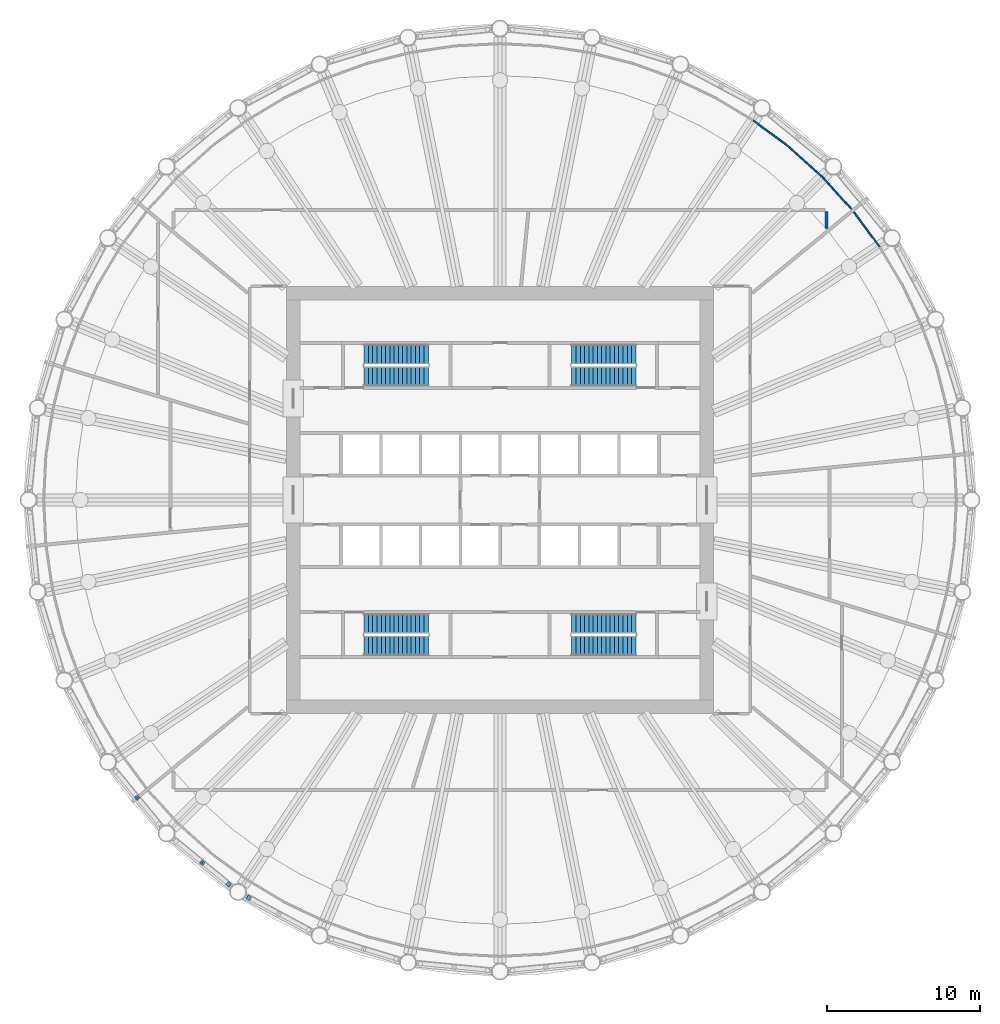
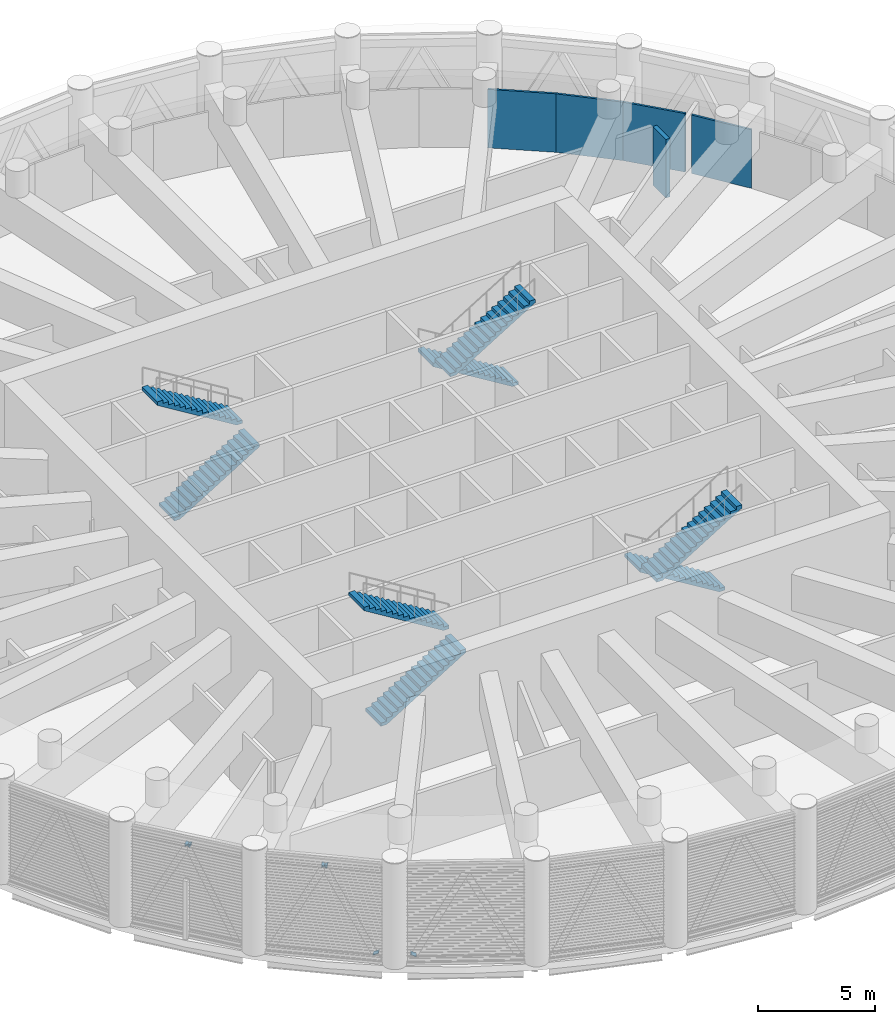
# One storey, part 11 of 23: 8 stair flights, 6 discrete accessories, 5 walls, 4 elements without a shape of their own.
"""IFC4 building model written with IfcOpenShell, lengths in metres."""

import ifcopenshell
import ifcopenshell.guid

model = None  # the IFC model being written
_history = None  # IfcOwnerHistory: only IFC2X3 demands one
_inside = {}  # id of a spatial element -> (the spatial element, [elements in it])
_under = {}  # id of a project, library or spatial element -> (it, [spatial elements below it])
_declared = {}  # id of a project -> (the project, [libraries it declares])
_typed = {}  # id of a type object -> (the type object, [elements of that type])
_made_of = {}  # id of a material, layer set ... -> (it, [elements and type objects made of it])


def new_model(schema):
    """Start an empty IFC model of exactly this schema.

    Asked for "IFC4X3", IfcOpenShell would pick the latest addendum, in which some entities
    have other attributes; the version numbers below select the first issue.
    IFC2X3 requires an IfcOwnerHistory on every rooted entity: one is made here for all.
    """
    global model, _history
    if schema == "IFC4X3":
        model = ifcopenshell.file(schema_version=(4, 3, 0, 0))
    else:
        model = ifcopenshell.file(schema=schema)
    _inside.clear()
    _under.clear()
    _declared.clear()
    _typed.clear()
    _made_of.clear()
    _history = None
    if model.schema == "IFC2X3":
        org = make("IfcOrganization", Name="unknown")
        user = make(
            "IfcPersonAndOrganization",
            ThePerson=make("IfcPerson", FamilyName="unknown"),
            TheOrganization=org,
        )
        app = make(
            "IfcApplication",
            ApplicationDeveloper=org,
            Version="unknown",
            ApplicationFullName="unknown",
            ApplicationIdentifier="unknown",
        )
        _history = make(
            "IfcOwnerHistory",
            OwningUser=user,
            OwningApplication=app,
            ChangeAction="ADDED",
            CreationDate=0,
        )
    return model


def make(cls, **values):
    """One entity of the class cls with the attributes given. An attribute that is None is left unset."""
    return model.create_entity(
        cls, **{name: value for name, value in values.items() if value is not None}
    )


def rooted(cls, **values):
    """An entity with a GlobalId (a new one), such as an element, a storey or a relation."""
    return make(cls, GlobalId=ifcopenshell.guid.new(), OwnerHistory=_history, **values)


def si_unit(unit_type, name, prefix=None):
    """IfcSIUnit, for example si_unit("LENGTHUNIT", "METRE", prefix="MILLI")."""
    return make("IfcSIUnit", UnitType=unit_type, Prefix=prefix, Name=name)


def assignment(units):
    """IfcUnitAssignment: the units of a project."""
    return None if units is None else make("IfcUnitAssignment", Units=units)


def point(xyz):
    """IfcCartesianPoint."""
    return None if xyz is None else make("IfcCartesianPoint", Coordinates=xyz)


def direction(xyz):
    """IfcDirection."""
    return None if xyz is None else make("IfcDirection", DirectionRatios=xyz)


def frame(location, z_axis=None, x_axis=None):
    """IfcAxis2Placement3D, a coordinate frame: its origin and axes. An axis left out is left unset."""
    return make(
        "IfcAxis2Placement3D",
        Location=point(location),
        Axis=direction(z_axis),
        RefDirection=direction(x_axis),
    )


def frame_2d(location, x_axis=None):
    """IfcAxis2Placement2D, a coordinate frame in the plane: its origin and x axis."""
    return make(
        "IfcAxis2Placement2D", Location=point(location), RefDirection=direction(x_axis)
    )


def origin():
    """The frame at (0, 0, 0) with its axes left unset."""
    return frame((0.0, 0.0, 0.0))


def origin_2d():
    """The frame at (0, 0) in the plane with its x axis left unset."""
    return frame_2d((0.0, 0.0))


def place(relative_to, where):
    """IfcLocalPlacement: puts the frame where relative to a parent placement (None: the world)."""
    return make(
        "IfcLocalPlacement", PlacementRelTo=relative_to, RelativePlacement=where
    )


def context(
    kind, dimensions, precision=None, world=None, true_north=None, identifier=None
):
    """IfcGeometricRepresentationContext, for example the 3D "Model" context."""
    return make(
        "IfcGeometricRepresentationContext",
        ContextIdentifier=identifier,
        ContextType=kind,
        CoordinateSpaceDimension=dimensions,
        Precision=precision,
        WorldCoordinateSystem=world,
        TrueNorth=true_north,
    )


def subcontext(parent, identifier, kind, view, scale=None):
    """IfcGeometricRepresentationSubContext, for example "Body" below "Model"."""
    return make(
        "IfcGeometricRepresentationSubContext",
        ContextIdentifier=identifier,
        ContextType=kind,
        ParentContext=parent,
        TargetScale=scale,
        TargetView=view,
    )


def project(units=None, contexts=None):
    """IfcProject with its units and contexts."""
    return rooted(
        "IfcProject",
        Name="project",
        RepresentationContexts=contexts,
        UnitsInContext=assignment(units),
    )


def spatial(cls, under=None, at=None, **own):
    """A site, building, storey or space (cls), placed at a placement, below another one or the project."""
    s = rooted(cls, ObjectPlacement=at, **own)
    if under is not None:
        _under.setdefault(under.id(), (under, []))[1].append(s)
    return s


def polyline(points):
    """IfcPolyline through the points."""
    return make("IfcPolyline", Points=[point(p) for p in points])


def profile(cls, at=None, kind="AREA", **sizes):
    """A parametric profile (cls). Its sizes go by their IFC names, for example OverallWidth=200.0."""
    return make(cls, ProfileType=kind, Position=at, **sizes)


def rectangle(**sizes):
    """IfcRectangleProfileDef."""
    return profile("IfcRectangleProfileDef", **sizes)


def outline(outer, holes=None, kind="AREA"):
    """IfcArbitraryClosedProfileDef: a profile drawn as a closed curve; with holes, ...WithVoids."""
    if holes is None:
        return make("IfcArbitraryClosedProfileDef", ProfileType=kind, OuterCurve=outer)
    return make(
        "IfcArbitraryProfileDefWithVoids",
        ProfileType=kind,
        OuterCurve=outer,
        InnerCurves=holes,
    )


def extrude(swept, where, along, depth):
    """IfcExtrudedAreaSolid: the profile swept, set in the frame where, extruded along a direction by depth."""
    return make(
        "IfcExtrudedAreaSolid",
        SweptArea=swept,
        Position=where,
        ExtrudedDirection=direction(along),
        Depth=depth,
    )


def shape(context_of_items, identifier, shape_type, items):
    """IfcShapeRepresentation: the items that make up one representation, for example the "Body"."""
    return make(
        "IfcShapeRepresentation",
        ContextOfItems=context_of_items,
        RepresentationIdentifier=identifier,
        RepresentationType=shape_type,
        Items=items,
    )


def material(Name=None, Category=None):
    """IfcMaterial."""
    return make("IfcMaterial", Name=Name, Category=Category)


def layer(
    of_material, thickness, ventilated=None, Name=None, Category=None, Priority=None
):
    """IfcMaterialLayer: one layer of a wall or slab, of a material (None: an air gap)."""
    return make(
        "IfcMaterialLayer",
        Material=of_material,
        LayerThickness=thickness,
        IsVentilated=ventilated,
        Name=Name,
        Category=Category,
        Priority=Priority,
    )


def layer_set(layers, Name=None):
    """IfcMaterialLayerSet."""
    return make("IfcMaterialLayerSet", MaterialLayers=layers, LayerSetName=Name)


def material_profile(
    of_material, cross_section, Name=None, Category=None, Priority=None
):
    """IfcMaterialProfile: a cross section and its material."""
    return make(
        "IfcMaterialProfile",
        Name=Name,
        Material=of_material,
        Profile=cross_section,
        Priority=Priority,
        Category=Category,
    )


def profile_set(profiles, Name=None, composite=None):
    """IfcMaterialProfileSet."""
    return make(
        "IfcMaterialProfileSet",
        Name=Name,
        MaterialProfiles=profiles,
        CompositeProfile=composite,
    )


def made_of(thing, what):
    """Note that an element or type object is made of a material, layer set ...; save() writes the relation."""
    if what is not None:
        _made_of.setdefault(what.id(), (what, []))[1].append(thing)
    return thing


def type_object(cls, material=None, **own):
    """A type object (cls), such as IfcWallType, which elements share."""
    return made_of(rooted(cls, **own), material)


def element(
    cls,
    number,
    at=None,
    inside=None,
    cuts=None,
    type_object=None,
    material=None,
    context=None,
    identifier="Body",
    shape_type=None,
    held_by="IfcProductDefinitionShape",
    body=None,
    shapes=None,
    **own,
):
    """One element of the class cls, such as IfcWall. Its Tag is "e" and its number.

    at: its placement. inside: the storey or other place that contains it. cuts: it is an
    opening in that element (IfcRelVoidsElement). A single representation is given by context,
    identifier, shape_type and body (its items); several are given by shapes. held_by: the class
    of the entity that holds the representations. save() writes the other relations.
    """
    e = rooted(cls, Tag="e%d" % number, ObjectPlacement=at, **own)
    if body is not None:
        shapes = [shape(context, identifier, shape_type, body)]
    if shapes is not None:
        e.Representation = make(held_by, Representations=shapes)
    if inside is not None:
        _inside.setdefault(inside.id(), (inside, []))[1].append(e)
    if cuts is not None:
        rooted(
            "IfcRelVoidsElement", RelatingBuildingElement=cuts, RelatedOpeningElement=e
        )
    if type_object is not None:
        _typed.setdefault(type_object.id(), (type_object, []))[1].append(e)
    return made_of(e, material)


def aggregate(whole, parts):
    """IfcRelAggregates: a whole, such as a stair, and the parts it consists of."""
    return rooted("IfcRelAggregates", RelatingObject=whole, RelatedObjects=parts)


def save(model, path):
    """Write the relations noted so far, then the file.

    IfcRelAggregates (storeys below a building ...), IfcRelContainedInSpatialStructure (elements
    in a storey), IfcRelDefinesByType, IfcRelAssociatesMaterial and IfcRelDeclares: one each for
    every whole, place, type object, material and project.
    """
    for whole, parts in _under.values():
        aggregate(whole, parts)
    for where, things in _inside.values():
        rooted(
            "IfcRelContainedInSpatialStructure",
            RelatedElements=things,
            RelatingStructure=where,
        )
    for kind, things in _typed.values():
        rooted("IfcRelDefinesByType", RelatedObjects=things, RelatingType=kind)
    for what, things in _made_of.values():
        rooted("IfcRelAssociatesMaterial", RelatedObjects=things, RelatingMaterial=what)
    for by, libraries in _declared.values():
        rooted("IfcRelDeclares", RelatingContext=by, RelatedDefinitions=libraries)
    model.write(path)


model = new_model("IFC4")

# Units and contexts
model_context = context("Model", 3, precision=1e-05, world=origin(), true_north=direction((0.0, 1.0)))
body_context = subcontext(model_context, "Body", "Model", "MODEL_VIEW")
ifc_project = project(units=[si_unit("LENGTHUNIT", "METRE"), si_unit("AREAUNIT", "SQUARE_METRE"), si_unit("VOLUMEUNIT", "CUBIC_METRE"), si_unit("PLANEANGLEUNIT", "RADIAN"), si_unit("MASSUNIT", "GRAM", prefix="KILO")], contexts=[model_context])

# Site, building, storey
site_placement = place(None, origin())
site = spatial("IfcSite", under=ifc_project, at=site_placement, CompositionType="ELEMENT")
building_placement = place(site_placement, origin())
building = spatial("IfcBuilding", under=site, at=building_placement, Name="Corvane Civic Tower", CompositionType="ELEMENT")
storey_placement = place(building_placement, frame((0.0, 0.0, 196.0)))
storey = spatial("IfcBuildingStorey", under=building, at=storey_placement, Name="L46", CompositionType="ELEMENT", Elevation=196.0)

# Walls
ifc_material_1 = material(Name="Plasterboard")
ifc_layer_1 = layer(ifc_material_1, 0.10009765625)
ifc_layer_set_1 = layer_set([ifc_layer_1], Name="Plasterboard")
wall_type_1 = type_object("IfcWallType", Name="Partition 100 plasterboard on studs", PredefinedType="PARTITIONING", material=ifc_layer_set_1)
for number, where, z_axis, x_axis, name in (
    (1, (23.195556640625, 18.85498046875, 0.0), (0.0, 0.0, 1.0), (0.595685108219, -0.80321805996, 0.0), "Partition L46.040"),
    (2, (21.1416015625, 21.1416015625, 0.0), (0.0, 0.0, 1.0), (0.671519424739, -0.740986951436, 0.0), "Partition L46.042"),
):
    element("IfcWall", number, at=place(storey_placement, frame(where, z_axis=z_axis, x_axis=x_axis)), inside=storey, type_object=wall_type_1, Name=name, PredefinedType="PARTITIONING", context=body_context, shape_type="SweptSolid", body=[
        extrude(rectangle(XDim=2.7939453125, YDim=0.10009765625, at=frame_2d((1.39697265625, 0.0))), origin(), (0.0, 0.0, 1.0), 3.050048828125),
    ])
wall_1_placement = place(storey_placement, frame((18.967529296875, 23.11181640625, 0.0), z_axis=(0.0, 0.0, 1.0), x_axis=(0.740993420885, -0.671512285968, 0.0)))
element("IfcWall", 3, at=wall_1_placement, inside=storey, type_object=wall_type_1, Name="Partition L46.044", PredefinedType="PARTITIONING", context=body_context, shape_type="SweptSolid", body=[
    extrude(rectangle(XDim=2.93408203125, YDim=0.10009765625, at=frame_2d((1.467041015625, 0.0))), origin(), (0.0, 0.0, 1.0), 3.050048828125),
])
wall_2_placement = place(storey_placement, frame((16.61083984375, 24.85986328125, 0.0), z_axis=(0.0, 0.0, 1.0), x_axis=(0.803173799332, -0.595744784338, 0.0)))
element("IfcWall", 4, at=wall_2_placement, inside=storey, type_object=wall_type_1, Name="Partition L46.046", PredefinedType="PARTITIONING", context=body_context, shape_type="SweptSolid", body=[
    extrude(rectangle(XDim=2.934326171875, YDim=0.10009765625, at=frame_2d((1.46728515625, 0.0))), origin(), (0.0, 0.0, 1.0), 3.050048828125),
])
ifc_material_2 = material(Name="Gypsum fibreboard")
ifc_layer_2 = layer(ifc_material_2, 0.199951171875)
ifc_layer_set_2 = layer_set([ifc_layer_2], Name="Gypsum fibreboard")
wall_type_2 = type_object("IfcWallType", Name="Plant and refuge wall 200 EI 120", PredefinedType="PARTITIONING", material=ifc_layer_set_2)
wall_3_placement = place(storey_placement, frame((21.39990234375, 17.77392578125, 0.0), z_axis=(0.0, 0.0, 1.0), x_axis=(0.0, 1.0, 0.0)))
element("IfcWall", 5, at=wall_3_placement, inside=storey, type_object=wall_type_2, Name="Partition L46.025", PredefinedType="PARTITIONING", context=body_context, shape_type="SweptSolid", body=[
    extrude(rectangle(XDim=1.1259765625, YDim=0.199951171875, at=frame_2d((0.56298828125, 0.0))), origin(), (0.0, 0.0, 1.0), 3.050048828125),
])

# Stair, stair flights
ifc_material_3 = material(Name="Concrete C40/50", Category="concrete")
stair_type = type_object("IfcStairType", Name="ST-STAIR-HALFTURN", PredefinedType="HALF_TURN_STAIR", material=ifc_material_3)
stair_1_placement = place(storey_placement, origin())
stair_1 = element("IfcStair", 6, at=stair_1_placement, inside=storey, type_object=stair_type, Name="L46 Exit stair ST1", PredefinedType="HALF_TURN_STAIR")
ifc_material_4 = material(Name="Concrete C40/50", Category="concrete")
stair_flight_type = type_object("IfcStairFlightType", Name="ST-FLIGHT-RC", PredefinedType="STRAIGHT", material=ifc_material_4)
stair_flight_1_placement = place(storey_placement, frame((8.89990234375, 9.550048828125, 0.0), z_axis=(0.0, 0.0, 1.0), x_axis=(-1.0, 0.0, 0.0)))
stair_flight_1 = element("IfcStairFlight", 7, at=stair_flight_1_placement, type_object=stair_flight_type, Name="ST1 flight 1", NumberOfRisers=16, NumberOfTreads=15, PredefinedType="STRAIGHT", RiserHeight=0.171875, TreadLength=0.28, context=body_context, shape_type="SweptSolid", body=[
    extrude(outline(polyline([(0.0, 0.0), (0.0, 0.171875), (0.280029296875, 0.171875), (0.280029296875, 0.34375), (0.56005859375, 0.34375), (0.56005859375, 0.515625), (0.840087890625, 0.515625), (0.840087890625, 0.6875), (1.1201171875, 0.6875), (1.1201171875, 0.859375), (1.39990234375, 0.859375), (1.39990234375, 1.03125), (1.679931640625, 1.03125), (1.679931640625, 1.203125), (1.9599609375, 1.203125), (1.9599609375, 1.375), (2.239990234375, 1.375), (2.239990234375, 1.546875), (2.52001953125, 1.546875), (2.52001953125, 1.71875), (2.800048828125, 1.71875), (2.800048828125, 1.890625), (3.080078125, 1.890625), (3.080078125, 2.0625), (3.360107421875, 2.0625), (3.360107421875, 2.234375), (3.639892578125, 2.234375), (3.639892578125, 2.40625), (3.919921875, 2.40625), (3.919921875, 2.578125), (4.199951171875, 2.578125), (4.199951171875, 2.75), (4.199951171875, 2.40234375), (0.28662109375, 0.0), (0.0, 0.0)])), frame((0.0, 0.64990234375, 0.0), z_axis=(0.0, -1.0, 0.0), x_axis=(1.0, 0.0, 0.0)), (0.0, 0.0, 1.0), 1.300048828125),
])
stair_flight_2_placement = place(storey_placement, frame((4.699951171875, 8.10009765625, 2.75), z_axis=(0.0, 0.0, 1.0), x_axis=(1.0, 0.0, 0.0)))
stair_flight_2 = element("IfcStairFlight", 8, at=stair_flight_2_placement, type_object=stair_flight_type, Name="ST1 flight 2", NumberOfRisers=16, NumberOfTreads=15, PredefinedType="STRAIGHT", RiserHeight=0.171875, TreadLength=0.28, context=body_context, shape_type="SweptSolid", body=[
    extrude(outline(polyline([(0.0, 0.0), (0.0, 0.171875), (0.280029296875, 0.171875), (0.280029296875, 0.34375), (0.56005859375, 0.34375), (0.56005859375, 0.515625), (0.840087890625, 0.515625), (0.840087890625, 0.6875), (1.1201171875, 0.6875), (1.1201171875, 0.859375), (1.39990234375, 0.859375), (1.39990234375, 1.03125), (1.679931640625, 1.03125), (1.679931640625, 1.203125), (1.9599609375, 1.203125), (1.9599609375, 1.375), (2.239990234375, 1.375), (2.239990234375, 1.546875), (2.52001953125, 1.546875), (2.52001953125, 1.71875), (2.800048828125, 1.71875), (2.800048828125, 1.890625), (3.080078125, 1.890625), (3.080078125, 2.0625), (3.360107421875, 2.0625), (3.360107421875, 2.234375), (3.639892578125, 2.234375), (3.639892578125, 2.40625), (3.919921875, 2.40625), (3.919921875, 2.578125), (4.199951171875, 2.578125), (4.199951171875, 2.75), (4.199951171875, 2.40234375), (0.28662109375, 0.0), (0.0, 0.0)])), frame((0.0, 0.64990234375, 0.0), z_axis=(0.0, -1.0, 0.0), x_axis=(1.0, 0.0, 0.0)), (0.0, 0.0, 1.0), 1.300048828125),
])
aggregate(stair_1, [stair_flight_1, stair_flight_2])

stair_2_placement = place(storey_placement, origin())
stair_2 = element("IfcStair", 9, at=stair_2_placement, inside=storey, type_object=stair_type, Name="L46 Exit stair ST2", PredefinedType="HALF_TURN_STAIR")
stair_flight_3_placement = place(storey_placement, frame((8.89990234375, -8.10009765625, 0.0), z_axis=(0.0, 0.0, 1.0), x_axis=(-1.0, 0.0, 0.0)))
stair_flight_3 = element("IfcStairFlight", 10, at=stair_flight_3_placement, type_object=stair_flight_type, Name="ST2 flight 1", NumberOfRisers=16, NumberOfTreads=15, PredefinedType="STRAIGHT", RiserHeight=0.171875, TreadLength=0.28, context=body_context, shape_type="SweptSolid", body=[
    extrude(outline(polyline([(0.0, 0.0), (0.0, 0.171875), (0.280029296875, 0.171875), (0.280029296875, 0.34375), (0.56005859375, 0.34375), (0.56005859375, 0.515625), (0.840087890625, 0.515625), (0.840087890625, 0.6875), (1.1201171875, 0.6875), (1.1201171875, 0.859375), (1.39990234375, 0.859375), (1.39990234375, 1.03125), (1.679931640625, 1.03125), (1.679931640625, 1.203125), (1.9599609375, 1.203125), (1.9599609375, 1.375), (2.239990234375, 1.375), (2.239990234375, 1.546875), (2.52001953125, 1.546875), (2.52001953125, 1.71875), (2.800048828125, 1.71875), (2.800048828125, 1.890625), (3.080078125, 1.890625), (3.080078125, 2.0625), (3.360107421875, 2.0625), (3.360107421875, 2.234375), (3.639892578125, 2.234375), (3.639892578125, 2.40625), (3.919921875, 2.40625), (3.919921875, 2.578125), (4.199951171875, 2.578125), (4.199951171875, 2.75), (4.199951171875, 2.40234375), (0.28662109375, 0.0), (0.0, 0.0)])), frame((0.0, 0.64990234375, 0.0), z_axis=(0.0, -1.0, 0.0), x_axis=(1.0, 0.0, 0.0)), (0.0, 0.0, 1.0), 1.300048828125),
])
stair_flight_4_placement = place(storey_placement, frame((4.699951171875, -9.550048828125, 2.75), z_axis=(0.0, 0.0, 1.0), x_axis=(1.0, 0.0, 0.0)))
stair_flight_4 = element("IfcStairFlight", 11, at=stair_flight_4_placement, type_object=stair_flight_type, Name="ST2 flight 2", NumberOfRisers=16, NumberOfTreads=15, PredefinedType="STRAIGHT", RiserHeight=0.171875, TreadLength=0.28, context=body_context, shape_type="SweptSolid", body=[
    extrude(outline(polyline([(0.0, 0.0), (0.0, 0.171875), (0.280029296875, 0.171875), (0.280029296875, 0.34375), (0.56005859375, 0.34375), (0.56005859375, 0.515625), (0.840087890625, 0.515625), (0.840087890625, 0.6875), (1.1201171875, 0.6875), (1.1201171875, 0.859375), (1.39990234375, 0.859375), (1.39990234375, 1.03125), (1.679931640625, 1.03125), (1.679931640625, 1.203125), (1.9599609375, 1.203125), (1.9599609375, 1.375), (2.239990234375, 1.375), (2.239990234375, 1.546875), (2.52001953125, 1.546875), (2.52001953125, 1.71875), (2.800048828125, 1.71875), (2.800048828125, 1.890625), (3.080078125, 1.890625), (3.080078125, 2.0625), (3.360107421875, 2.0625), (3.360107421875, 2.234375), (3.639892578125, 2.234375), (3.639892578125, 2.40625), (3.919921875, 2.40625), (3.919921875, 2.578125), (4.199951171875, 2.578125), (4.199951171875, 2.75), (4.199951171875, 2.40234375), (0.28662109375, 0.0), (0.0, 0.0)])), frame((0.0, 0.64990234375, 0.0), z_axis=(0.0, -1.0, 0.0), x_axis=(1.0, 0.0, 0.0)), (0.0, 0.0, 1.0), 1.300048828125),
])
aggregate(stair_2, [stair_flight_3, stair_flight_4])

stair_3_placement = place(storey_placement, origin())
stair_3 = element("IfcStair", 12, at=stair_3_placement, inside=storey, type_object=stair_type, Name="L46 Exit stair ST3", PredefinedType="HALF_TURN_STAIR")
stair_flight_5_placement = place(storey_placement, frame((-8.89990234375, -9.550048828125, 0.0), z_axis=(0.0, 0.0, 1.0), x_axis=(1.0, 0.0, 0.0)))
stair_flight_5 = element("IfcStairFlight", 13, at=stair_flight_5_placement, type_object=stair_flight_type, Name="ST3 flight 1", NumberOfRisers=16, NumberOfTreads=15, PredefinedType="STRAIGHT", RiserHeight=0.171875, TreadLength=0.28, context=body_context, shape_type="SweptSolid", body=[
    extrude(outline(polyline([(0.0, 0.0), (0.0, 0.171875), (0.280029296875, 0.171875), (0.280029296875, 0.34375), (0.56005859375, 0.34375), (0.56005859375, 0.515625), (0.840087890625, 0.515625), (0.840087890625, 0.6875), (1.1201171875, 0.6875), (1.1201171875, 0.859375), (1.39990234375, 0.859375), (1.39990234375, 1.03125), (1.679931640625, 1.03125), (1.679931640625, 1.203125), (1.9599609375, 1.203125), (1.9599609375, 1.375), (2.239990234375, 1.375), (2.239990234375, 1.546875), (2.52001953125, 1.546875), (2.52001953125, 1.71875), (2.800048828125, 1.71875), (2.800048828125, 1.890625), (3.080078125, 1.890625), (3.080078125, 2.0625), (3.360107421875, 2.0625), (3.360107421875, 2.234375), (3.639892578125, 2.234375), (3.639892578125, 2.40625), (3.919921875, 2.40625), (3.919921875, 2.578125), (4.199951171875, 2.578125), (4.199951171875, 2.75), (4.199951171875, 2.40234375), (0.28662109375, 0.0), (0.0, 0.0)])), frame((0.0, 0.64990234375, 0.0), z_axis=(0.0, -1.0, 0.0), x_axis=(1.0, 0.0, 0.0)), (0.0, 0.0, 1.0), 1.300048828125),
])
stair_flight_6_placement = place(storey_placement, frame((-4.699951171875, -8.10009765625, 2.75), z_axis=(0.0, 0.0, 1.0), x_axis=(-1.0, 0.0, 0.0)))
stair_flight_6 = element("IfcStairFlight", 14, at=stair_flight_6_placement, type_object=stair_flight_type, Name="ST3 flight 2", NumberOfRisers=16, NumberOfTreads=15, PredefinedType="STRAIGHT", RiserHeight=0.171875, TreadLength=0.28, context=body_context, shape_type="SweptSolid", body=[
    extrude(outline(polyline([(0.0, 0.0), (0.0, 0.171875), (0.280029296875, 0.171875), (0.280029296875, 0.34375), (0.56005859375, 0.34375), (0.56005859375, 0.515625), (0.840087890625, 0.515625), (0.840087890625, 0.6875), (1.1201171875, 0.6875), (1.1201171875, 0.859375), (1.39990234375, 0.859375), (1.39990234375, 1.03125), (1.679931640625, 1.03125), (1.679931640625, 1.203125), (1.9599609375, 1.203125), (1.9599609375, 1.375), (2.239990234375, 1.375), (2.239990234375, 1.546875), (2.52001953125, 1.546875), (2.52001953125, 1.71875), (2.800048828125, 1.71875), (2.800048828125, 1.890625), (3.080078125, 1.890625), (3.080078125, 2.0625), (3.360107421875, 2.0625), (3.360107421875, 2.234375), (3.639892578125, 2.234375), (3.639892578125, 2.40625), (3.919921875, 2.40625), (3.919921875, 2.578125), (4.199951171875, 2.578125), (4.199951171875, 2.75), (4.199951171875, 2.40234375), (0.28662109375, 0.0), (0.0, 0.0)])), frame((0.0, 0.64990234375, 0.0), z_axis=(0.0, -1.0, 0.0), x_axis=(1.0, 0.0, 0.0)), (0.0, 0.0, 1.0), 1.300048828125),
])
aggregate(stair_3, [stair_flight_5, stair_flight_6])

stair_4_placement = place(storey_placement, origin())
stair_4 = element("IfcStair", 15, at=stair_4_placement, inside=storey, type_object=stair_type, Name="L46 Exit stair ST4", PredefinedType="HALF_TURN_STAIR")
stair_flight_7_placement = place(storey_placement, frame((-8.89990234375, 8.10009765625, 0.0), z_axis=(0.0, 0.0, 1.0), x_axis=(1.0, 0.0, 0.0)))
stair_flight_7 = element("IfcStairFlight", 16, at=stair_flight_7_placement, type_object=stair_flight_type, Name="ST4 flight 1", NumberOfRisers=16, NumberOfTreads=15, PredefinedType="STRAIGHT", RiserHeight=0.171875, TreadLength=0.28, context=body_context, shape_type="SweptSolid", body=[
    extrude(outline(polyline([(0.0, 0.0), (0.0, 0.171875), (0.280029296875, 0.171875), (0.280029296875, 0.34375), (0.56005859375, 0.34375), (0.56005859375, 0.515625), (0.840087890625, 0.515625), (0.840087890625, 0.6875), (1.1201171875, 0.6875), (1.1201171875, 0.859375), (1.39990234375, 0.859375), (1.39990234375, 1.03125), (1.679931640625, 1.03125), (1.679931640625, 1.203125), (1.9599609375, 1.203125), (1.9599609375, 1.375), (2.239990234375, 1.375), (2.239990234375, 1.546875), (2.52001953125, 1.546875), (2.52001953125, 1.71875), (2.800048828125, 1.71875), (2.800048828125, 1.890625), (3.080078125, 1.890625), (3.080078125, 2.0625), (3.360107421875, 2.0625), (3.360107421875, 2.234375), (3.639892578125, 2.234375), (3.639892578125, 2.40625), (3.919921875, 2.40625), (3.919921875, 2.578125), (4.199951171875, 2.578125), (4.199951171875, 2.75), (4.199951171875, 2.40234375), (0.28662109375, 0.0), (0.0, 0.0)])), frame((0.0, 0.64990234375, 0.0), z_axis=(0.0, -1.0, 0.0), x_axis=(1.0, 0.0, 0.0)), (0.0, 0.0, 1.0), 1.300048828125),
])
stair_flight_8_placement = place(storey_placement, frame((-4.699951171875, 9.550048828125, 2.75), z_axis=(0.0, 0.0, 1.0), x_axis=(-1.0, 0.0, 0.0)))
stair_flight_8 = element("IfcStairFlight", 17, at=stair_flight_8_placement, type_object=stair_flight_type, Name="ST4 flight 2", NumberOfRisers=16, NumberOfTreads=15, PredefinedType="STRAIGHT", RiserHeight=0.171875, TreadLength=0.28, context=body_context, shape_type="SweptSolid", body=[
    extrude(outline(polyline([(0.0, 0.0), (0.0, 0.171875), (0.280029296875, 0.171875), (0.280029296875, 0.34375), (0.56005859375, 0.34375), (0.56005859375, 0.515625), (0.840087890625, 0.515625), (0.840087890625, 0.6875), (1.1201171875, 0.6875), (1.1201171875, 0.859375), (1.39990234375, 0.859375), (1.39990234375, 1.03125), (1.679931640625, 1.03125), (1.679931640625, 1.203125), (1.9599609375, 1.203125), (1.9599609375, 1.375), (2.239990234375, 1.375), (2.239990234375, 1.546875), (2.52001953125, 1.546875), (2.52001953125, 1.71875), (2.800048828125, 1.71875), (2.800048828125, 1.890625), (3.080078125, 1.890625), (3.080078125, 2.0625), (3.360107421875, 2.0625), (3.360107421875, 2.234375), (3.639892578125, 2.234375), (3.639892578125, 2.40625), (3.919921875, 2.40625), (3.919921875, 2.578125), (4.199951171875, 2.578125), (4.199951171875, 2.75), (4.199951171875, 2.40234375), (0.28662109375, 0.0), (0.0, 0.0)])), frame((0.0, 0.64990234375, 0.0), z_axis=(0.0, -1.0, 0.0), x_axis=(1.0, 0.0, 0.0)), (0.0, 0.0, 1.0), 1.300048828125),
])
aggregate(stair_4, [stair_flight_7, stair_flight_8])

# Discrete accessories
ifc_material_5 = material(Name="Steel ASTM A572 Gr 50", Category="steel")
ifc_material_profile = material_profile(ifc_material_5, rectangle(XDim=0.2802734375, YDim=0.2802734375, at=origin_2d()), Name="GUSSET PLATE 25 IN HSS12X12X1/2")
ifc_profile_set = profile_set([ifc_material_profile], Name="Steel ASTM A572 Gr 50")
discrete_accessory_type = type_object("IfcDiscreteAccessoryType", Name="GUSSET PLATE 25 IN HSS12X12X1/2", PredefinedType="BRACKET", material=ifc_profile_set)
for number, where, z_axis, x_axis, name in (
    (18, (-16.461669921875, -26.069580078125, 0.406494140625), (0.401151893027, -0.215252235283, 0.890361518669), (0.472817704815, 0.881160268064, 0.0), "Gusset plate BD1 end A"),
    (19, (-17.78564453125, -25.184814453125, 0.406494140625), (-0.351709443019, 0.293091202516, 0.889043314299), (-0.640184399664, -0.768221279597, 0.0), "Gusset plate BD1 end A"),
    (20, (-19.50830078125, -23.77099609375, 4.74365234375), (0.351709443019, -0.293091202516, -0.889043314299), (0.640184399664, 0.768221279597, 0.0), "Gusset plate BD1 end B"),
):
    element("IfcDiscreteAccessory", number, at=place(storey_placement, frame(where, z_axis=z_axis, x_axis=x_axis)), inside=storey, type_object=discrete_accessory_type, Name=name, PredefinedType="BRACKET", context=body_context, shape_type="SweptSolid", body=[
        extrude(rectangle(XDim=0.2802734375, YDim=0.2802734375, at=origin_2d()), origin(), (0.0, 0.0, 1.0), 0.02490234375),
    ])
for number, where, z_axis, x_axis, name in (
    (21, (-19.50830078125, -23.77099609375, 4.74365234375), (-0.360226363798, 0.292075430107, -0.88596213799), (-0.629801958421, -0.77675574872, 0.0), "Gusset plate BD1 end B"),
    (22, (-23.77099609375, -19.50830078125, 4.74365234375), (0.292075430107, -0.360226363798, -0.88596213799), (0.77675574872, 0.629801958421, 0.0), "Gusset plate BD1 end B"),
):
    element("IfcDiscreteAccessory", number, at=place(storey_placement, frame(where, z_axis=z_axis, x_axis=x_axis)), inside=storey, type_object=discrete_accessory_type, Name=name, PredefinedType="BRACKET", context=body_context, shape_type="SweptSolid", body=[
        extrude(rectangle(XDim=0.2802734375, YDim=0.2802734375, at=origin_2d()), origin(), (0.0, 0.0, 1.0), 0.025146484375),
    ])
discrete_accessory_placement = place(storey_placement, frame((-23.77099609375, -19.50830078125, 4.74365234375), z_axis=(-0.293091202516, 0.351709443019, -0.889043314299), x_axis=(-0.768221279597, -0.640184399664, 0.0)))
element("IfcDiscreteAccessory", 23, at=discrete_accessory_placement, inside=storey, type_object=discrete_accessory_type, Name="Gusset plate BD1 end B", PredefinedType="BRACKET", context=body_context, shape_type="SweptSolid", body=[
    extrude(rectangle(XDim=0.2802734375, YDim=0.2802734375, at=origin_2d()), origin(), (0.0, 0.0, 1.0), 0.02490234375),
])

save(model, "model.ifc")
